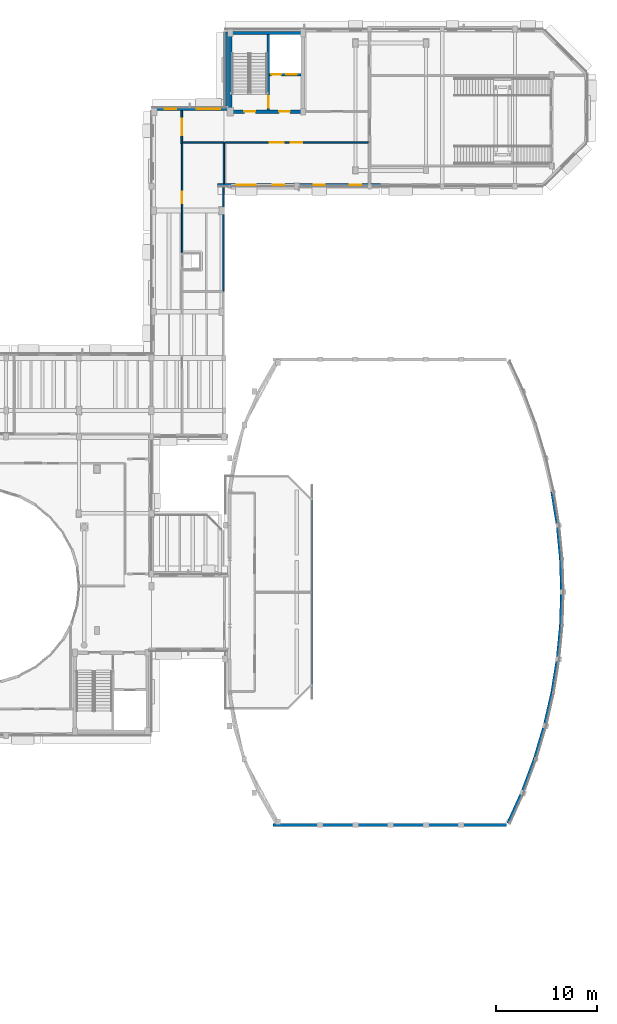
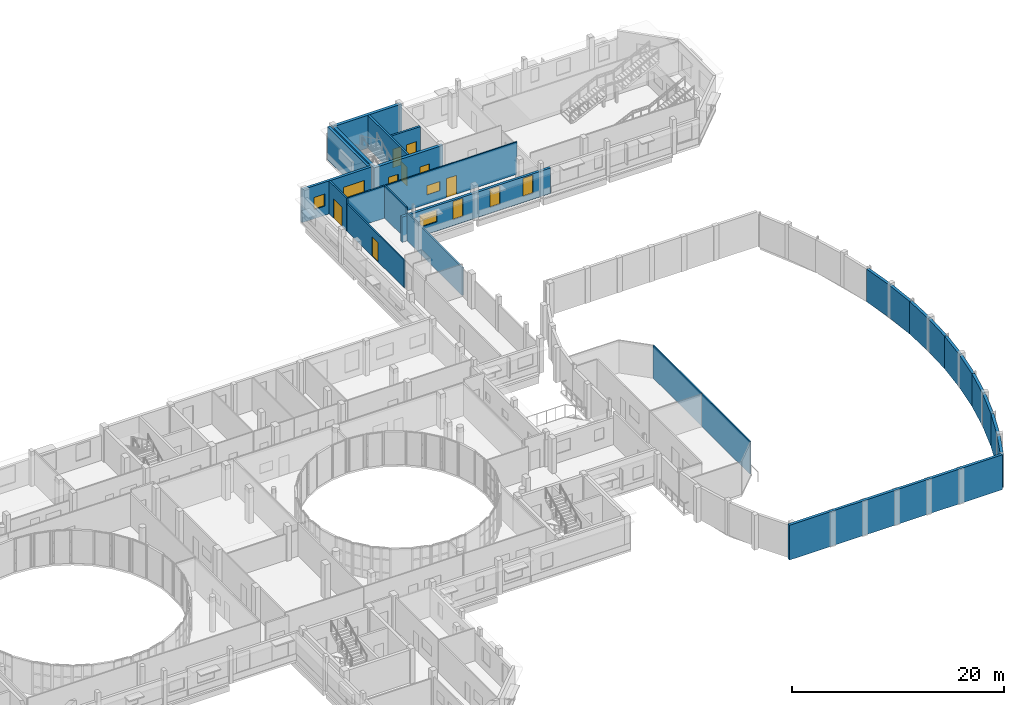
# One storey, part 74 of 92: 27 walls, 8 doors, 7 windows, 15 openings.
"""IFC4 building model written with IfcOpenShell, lengths in metres."""

import ifcopenshell
import ifcopenshell.guid

model = None  # the IFC model being written
_history = None  # IfcOwnerHistory: only IFC2X3 demands one
_inside = {}  # id of a spatial element -> (the spatial element, [elements in it])
_under = {}  # id of a project, library or spatial element -> (it, [spatial elements below it])
_declared = {}  # id of a project -> (the project, [libraries it declares])
_typed = {}  # id of a type object -> (the type object, [elements of that type])
_made_of = {}  # id of a material, layer set ... -> (it, [elements and type objects made of it])


def new_model(schema):
    """Start an empty IFC model of exactly this schema.

    Asked for "IFC4X3", IfcOpenShell would pick the latest addendum, in which some entities
    have other attributes; the version numbers below select the first issue.
    IFC2X3 requires an IfcOwnerHistory on every rooted entity: one is made here for all.
    """
    global model, _history
    if schema == "IFC4X3":
        model = ifcopenshell.file(schema_version=(4, 3, 0, 0))
    else:
        model = ifcopenshell.file(schema=schema)
    _inside.clear()
    _under.clear()
    _declared.clear()
    _typed.clear()
    _made_of.clear()
    _history = None
    if model.schema == "IFC2X3":
        org = make("IfcOrganization", Name="unknown")
        user = make(
            "IfcPersonAndOrganization",
            ThePerson=make("IfcPerson", FamilyName="unknown"),
            TheOrganization=org,
        )
        app = make(
            "IfcApplication",
            ApplicationDeveloper=org,
            Version="unknown",
            ApplicationFullName="unknown",
            ApplicationIdentifier="unknown",
        )
        _history = make(
            "IfcOwnerHistory",
            OwningUser=user,
            OwningApplication=app,
            ChangeAction="ADDED",
            CreationDate=0,
        )
    return model


def make(cls, **values):
    """One entity of the class cls with the attributes given. An attribute that is None is left unset."""
    return model.create_entity(
        cls, **{name: value for name, value in values.items() if value is not None}
    )


def rooted(cls, **values):
    """An entity with a GlobalId (a new one), such as an element, a storey or a relation."""
    return make(cls, GlobalId=ifcopenshell.guid.new(), OwnerHistory=_history, **values)


def si_unit(unit_type, name, prefix=None):
    """IfcSIUnit, for example si_unit("LENGTHUNIT", "METRE", prefix="MILLI")."""
    return make("IfcSIUnit", UnitType=unit_type, Prefix=prefix, Name=name)


def assignment(units):
    """IfcUnitAssignment: the units of a project."""
    return None if units is None else make("IfcUnitAssignment", Units=units)


def point(xyz):
    """IfcCartesianPoint."""
    return None if xyz is None else make("IfcCartesianPoint", Coordinates=xyz)


def direction(xyz):
    """IfcDirection."""
    return None if xyz is None else make("IfcDirection", DirectionRatios=xyz)


def frame(location, z_axis=None, x_axis=None):
    """IfcAxis2Placement3D, a coordinate frame: its origin and axes. An axis left out is left unset."""
    return make(
        "IfcAxis2Placement3D",
        Location=point(location),
        Axis=direction(z_axis),
        RefDirection=direction(x_axis),
    )


def frame_2d(location, x_axis=None):
    """IfcAxis2Placement2D, a coordinate frame in the plane: its origin and x axis."""
    return make(
        "IfcAxis2Placement2D", Location=point(location), RefDirection=direction(x_axis)
    )


def origin():
    """The frame at (0, 0, 0) with its axes left unset."""
    return frame((0.0, 0.0, 0.0))


def place(relative_to, where):
    """IfcLocalPlacement: puts the frame where relative to a parent placement (None: the world)."""
    return make(
        "IfcLocalPlacement", PlacementRelTo=relative_to, RelativePlacement=where
    )


def context(
    kind, dimensions, precision=None, world=None, true_north=None, identifier=None
):
    """IfcGeometricRepresentationContext, for example the 3D "Model" context."""
    return make(
        "IfcGeometricRepresentationContext",
        ContextIdentifier=identifier,
        ContextType=kind,
        CoordinateSpaceDimension=dimensions,
        Precision=precision,
        WorldCoordinateSystem=world,
        TrueNorth=true_north,
    )


def subcontext(parent, identifier, kind, view, scale=None):
    """IfcGeometricRepresentationSubContext, for example "Body" below "Model"."""
    return make(
        "IfcGeometricRepresentationSubContext",
        ContextIdentifier=identifier,
        ContextType=kind,
        ParentContext=parent,
        TargetScale=scale,
        TargetView=view,
    )


def project(units=None, contexts=None):
    """IfcProject with its units and contexts."""
    return rooted(
        "IfcProject",
        Name="project",
        RepresentationContexts=contexts,
        UnitsInContext=assignment(units),
    )


def spatial(cls, under=None, at=None, **own):
    """A site, building, storey or space (cls), placed at a placement, below another one or the project."""
    s = rooted(cls, ObjectPlacement=at, **own)
    if under is not None:
        _under.setdefault(under.id(), (under, []))[1].append(s)
    return s


def profile(cls, at=None, kind="AREA", **sizes):
    """A parametric profile (cls). Its sizes go by their IFC names, for example OverallWidth=200.0."""
    return make(cls, ProfileType=kind, Position=at, **sizes)


def rectangle(**sizes):
    """IfcRectangleProfileDef."""
    return profile("IfcRectangleProfileDef", **sizes)


def extrude(swept, where, along, depth):
    """IfcExtrudedAreaSolid: the profile swept, set in the frame where, extruded along a direction by depth."""
    return make(
        "IfcExtrudedAreaSolid",
        SweptArea=swept,
        Position=where,
        ExtrudedDirection=direction(along),
        Depth=depth,
    )


def shape(context_of_items, identifier, shape_type, items):
    """IfcShapeRepresentation: the items that make up one representation, for example the "Body"."""
    return make(
        "IfcShapeRepresentation",
        ContextOfItems=context_of_items,
        RepresentationIdentifier=identifier,
        RepresentationType=shape_type,
        Items=items,
    )


def material(Name=None, Category=None):
    """IfcMaterial."""
    return make("IfcMaterial", Name=Name, Category=Category)


def layer(
    of_material, thickness, ventilated=None, Name=None, Category=None, Priority=None
):
    """IfcMaterialLayer: one layer of a wall or slab, of a material (None: an air gap)."""
    return make(
        "IfcMaterialLayer",
        Material=of_material,
        LayerThickness=thickness,
        IsVentilated=ventilated,
        Name=Name,
        Category=Category,
        Priority=Priority,
    )


def layer_set(layers, Name=None):
    """IfcMaterialLayerSet."""
    return make("IfcMaterialLayerSet", MaterialLayers=layers, LayerSetName=Name)


def made_of(thing, what):
    """Note that an element or type object is made of a material, layer set ...; save() writes the relation."""
    if what is not None:
        _made_of.setdefault(what.id(), (what, []))[1].append(thing)
    return thing


def type_object(cls, material=None, **own):
    """A type object (cls), such as IfcWallType, which elements share."""
    return made_of(rooted(cls, **own), material)


def element(
    cls,
    number,
    at=None,
    inside=None,
    cuts=None,
    type_object=None,
    material=None,
    context=None,
    identifier="Body",
    shape_type=None,
    held_by="IfcProductDefinitionShape",
    body=None,
    shapes=None,
    **own,
):
    """One element of the class cls, such as IfcWall. Its Tag is "e" and its number.

    at: its placement. inside: the storey or other place that contains it. cuts: it is an
    opening in that element (IfcRelVoidsElement). A single representation is given by context,
    identifier, shape_type and body (its items); several are given by shapes. held_by: the class
    of the entity that holds the representations. save() writes the other relations.
    """
    e = rooted(cls, Tag="e%d" % number, ObjectPlacement=at, **own)
    if body is not None:
        shapes = [shape(context, identifier, shape_type, body)]
    if shapes is not None:
        e.Representation = make(held_by, Representations=shapes)
    if inside is not None:
        _inside.setdefault(inside.id(), (inside, []))[1].append(e)
    if cuts is not None:
        rooted(
            "IfcRelVoidsElement", RelatingBuildingElement=cuts, RelatedOpeningElement=e
        )
    if type_object is not None:
        _typed.setdefault(type_object.id(), (type_object, []))[1].append(e)
    return made_of(e, material)


def fill(opening, filler):
    """IfcRelFillsElement: the door or window that sits in an opening."""
    return rooted(
        "IfcRelFillsElement",
        RelatingOpeningElement=opening,
        RelatedBuildingElement=filler,
    )


def aggregate(whole, parts):
    """IfcRelAggregates: a whole, such as a stair, and the parts it consists of."""
    return rooted("IfcRelAggregates", RelatingObject=whole, RelatedObjects=parts)


def save(model, path):
    """Write the relations noted so far, then the file.

    IfcRelAggregates (storeys below a building ...), IfcRelContainedInSpatialStructure (elements
    in a storey), IfcRelDefinesByType, IfcRelAssociatesMaterial and IfcRelDeclares: one each for
    every whole, place, type object, material and project.
    """
    for whole, parts in _under.values():
        aggregate(whole, parts)
    for where, things in _inside.values():
        rooted(
            "IfcRelContainedInSpatialStructure",
            RelatedElements=things,
            RelatingStructure=where,
        )
    for kind, things in _typed.values():
        rooted("IfcRelDefinesByType", RelatedObjects=things, RelatingType=kind)
    for what, things in _made_of.values():
        rooted("IfcRelAssociatesMaterial", RelatedObjects=things, RelatingMaterial=what)
    for by, libraries in _declared.values():
        rooted("IfcRelDeclares", RelatingContext=by, RelatedDefinitions=libraries)
    model.write(path)


model = new_model("IFC4")

# Units and contexts
model_context = context("Model", 3, precision=1e-05, world=origin(), true_north=direction((0.0, 1.0)))
body_context = subcontext(model_context, "Body", "Model", "MODEL_VIEW")
ifc_project = project(units=[si_unit("LENGTHUNIT", "METRE"), si_unit("AREAUNIT", "SQUARE_METRE"), si_unit("VOLUMEUNIT", "CUBIC_METRE"), si_unit("PLANEANGLEUNIT", "RADIAN"), si_unit("MASSUNIT", "GRAM", prefix="KILO")], contexts=[model_context])

# Site, building, storey
site_placement = place(None, origin())
site = spatial("IfcSite", under=ifc_project, at=site_placement, CompositionType="ELEMENT")
building_placement = place(site_placement, origin())
building = spatial("IfcBuilding", under=site, at=building_placement, Name="Kelanivale Promenade Academy", CompositionType="ELEMENT")
storey_placement = place(building_placement, frame((0.0, 0.0, 8.199951171875)))
storey = spatial("IfcBuildingStorey", under=building, at=storey_placement, Name="L02", CompositionType="ELEMENT", Elevation=8.199951171875)

# Wall, openings, doors
ifc_material_1 = material(Name="Concrete C40/50", Category="concrete")
ifc_layer_1 = layer(ifc_material_1, 0.330078125)
ifc_layer_set_1 = layer_set([ifc_layer_1], Name="Concrete C40/50")
wall_type_1 = type_object("IfcWallType", Name="CW-S1 Wall 330mm", PredefinedType="SHEAR", material=ifc_layer_set_1)
wall_1_placement = place(storey_placement, frame((123.235107421875, 103.800048828125, 0.0), z_axis=(0.0, 0.0, 1.0), x_axis=(1.0, 0.0, 0.0)))
wall_1 = element("IfcWall", 1, at=wall_1_placement, inside=storey, type_object=wall_type_1, Name="CORE-5 RC shear wall S L02", PredefinedType="SHEAR", context=body_context, shape_type="SweptSolid", body=[
    extrude(rectangle(XDim=7.52978515625, YDim=0.330078125, at=frame_2d((3.764892578125, 0.0))), origin(), (0.0, 0.0, 1.0), 3.780029296875),
])
opening_1_placement = place(wall_1_placement, frame((5.014892578125, 0.0, 0.0)))
opening_1 = element("IfcOpeningElement", 2, at=opening_1_placement, cuts=wall_1, Name="Opening FD-CORE-5-LB-L02", PredefinedType="OPENING", context=body_context, shape_type="SweptSolid", body=[
    extrude(rectangle(XDim=1.050048828125, YDim=2.14990234375, at=frame_2d((0.52490234375, 1.074951171875))), frame((0.0, 0.175048828125, 0.0), z_axis=(0.0, -1.0, 0.0), x_axis=(1.0, 0.0, 0.0)), (0.0, 0.0, 1.0), 0.35009765625),
])
opening_2_placement = place(wall_1_placement, frame((1.56494140625, 0.0, 0.0)))
opening_2 = element("IfcOpeningElement", 3, at=opening_2_placement, cuts=wall_1, Name="Opening FD-CORE-5-ST-L02", PredefinedType="OPENING", context=body_context, shape_type="SweptSolid", body=[
    extrude(rectangle(XDim=1.10009765625, YDim=2.14990234375, at=frame_2d((0.550048828125, 1.074951171875))), frame((0.0, 0.175048828125, 0.0), z_axis=(0.0, -1.0, 0.0), x_axis=(1.0, 0.0, 0.0)), (0.0, 0.0, 1.0), 0.35009765625),
])
ifc_material_2 = material(Name="Fire-rated steel-core teak veneer", Category="steel")
door_type_1 = type_object("IfcDoorType", Name="DT-F01 Door 1100x2150", OperationType="NOTDEFINED", PredefinedType="DOOR", material=ifc_material_2)
door_1_placement = place(opening_2_placement, frame((1.10009765625, 0.0, 0.0), z_axis=(0.0, 0.0, 1.0), x_axis=(-1.0, 0.0, 0.0)))
door_1 = element("IfcDoor", 4, at=door_1_placement, inside=storey, type_object=door_type_1, Name="CORE-5 protected stair fire door L02", OperationType="SINGLE_SWING_RIGHT", OverallHeight=2.14990234375, OverallWidth=1.10009765625, PredefinedType="DOOR", context=body_context, shape_type="SweptSolid", body=[
    extrude(rectangle(XDim=1.10009765625, YDim=2.14990234375, at=frame_2d((0.550048828125, 1.074951171875))), frame((0.0, 0.02490234375, 0.0), z_axis=(0.0, -1.0, 0.0), x_axis=(1.0, 0.0, 0.0)), (0.0, 0.0, 1.0), 0.050048828125),
])
fill(opening_2, door_1)
door_type_2 = type_object("IfcDoorType", Name="DT-F03 Door 1050x2150", OperationType="NOTDEFINED", PredefinedType="DOOR", material=ifc_material_2)
door_2_placement = place(opening_1_placement, origin())
door_2 = element("IfcDoor", 5, at=door_2_placement, inside=storey, type_object=door_type_2, Name="CORE-5 corridor-to-lobby fire door L02", OperationType="SINGLE_SWING_LEFT", OverallHeight=2.14990234375, OverallWidth=1.050048828125, PredefinedType="DOOR", context=body_context, shape_type="SweptSolid", body=[
    extrude(rectangle(XDim=1.050048828125, YDim=2.14990234375, at=frame_2d((0.52490234375, 1.074951171875))), frame((0.0, 0.02490234375, 0.0), z_axis=(0.0, -1.0, 0.0), x_axis=(1.0, 0.0, 0.0)), (0.0, 0.0, 1.0), 0.050048828125),
])
fill(opening_1, door_2)

# Walls
wall_2_placement = place(storey_placement, frame((123.235107421875, 111.60009765625, 0.0), z_axis=(0.0, 0.0, 1.0), x_axis=(1.0, 0.0, 0.0)))
element("IfcWall", 6, at=wall_2_placement, inside=storey, type_object=wall_type_1, Name="CORE-5 RC shear wall N L02", PredefinedType="SHEAR", context=body_context, shape_type="SweptSolid", body=[
    extrude(rectangle(XDim=7.52978515625, YDim=0.330078125, at=frame_2d((3.764892578125, 0.0))), origin(), (0.0, 0.0, 1.0), 3.780029296875),
])
wall_3_placement = place(storey_placement, frame((123.39990234375, 103.965087890625, 0.0), z_axis=(0.0, 0.0, 1.0), x_axis=(0.0, 1.0, 0.0)))
element("IfcWall", 7, at=wall_3_placement, inside=storey, type_object=wall_type_1, Name="CORE-5 RC shear wall W L02", PredefinedType="SHEAR", context=body_context, shape_type="SweptSolid", body=[
    extrude(rectangle(XDim=7.469970703125, YDim=0.330078125, at=frame_2d((3.73486328125, 0.0))), origin(), (0.0, 0.0, 1.0), 3.780029296875),
])

# Wall, openings, doors
ifc_layer_2 = layer(ifc_material_1, 0.22509765625)
ifc_layer_set_2 = layer_set([ifc_layer_2], Name="Concrete C40/50")
wall_type_2 = type_object("IfcWallType", Name="CW-S2 Wall 225mm", PredefinedType="SHEAR", material=ifc_layer_set_2)
wall_4_placement = place(storey_placement, frame((127.284912109375, 107.469970703125, 0.0), z_axis=(0.0, 0.0, 1.0), x_axis=(1.0, 0.0, 0.0)))
wall_4 = element("IfcWall", 8, at=wall_4_placement, inside=storey, type_object=wall_type_2, Name="CORE-5 lift shaft front RC wall L02", PredefinedType="SHEAR", context=body_context, shape_type="SweptSolid", body=[
    extrude(rectangle(XDim=3.150146484375, YDim=0.22509765625, at=frame_2d((1.5751953125, 0.0))), origin(), (0.0, 0.0, 1.0), 3.780029296875),
])
opening_3_placement = place(wall_4_placement, frame((0.199951171875, 0.0, 0.0)))
opening_3 = element("IfcOpeningElement", 9, at=opening_3_placement, cuts=wall_4, Name="Opening LD-LF-FF4-L02", PredefinedType="OPENING", context=body_context, shape_type="SweptSolid", body=[
    extrude(rectangle(XDim=0.949951171875, YDim=2.14990234375, at=frame_2d((0.47509765625, 1.074951171875))), frame((0.0, 0.12255859375, 0.0), z_axis=(0.0, -1.0, 0.0), x_axis=(1.0, 0.0, 0.0)), (0.0, 0.0, 1.0), 0.2451171875),
])
opening_4_placement = place(wall_4_placement, frame((1.64990234375, 0.0, 0.0)))
opening_4 = element("IfcOpeningElement", 10, at=opening_4_placement, cuts=wall_4, Name="Opening LD-LF-P3-L02", PredefinedType="OPENING", context=body_context, shape_type="SweptSolid", body=[
    extrude(rectangle(XDim=1.050048828125, YDim=2.199951171875, at=frame_2d((0.52490234375, 1.10009765625))), frame((0.0, 0.12255859375, 0.0), z_axis=(0.0, -1.0, 0.0), x_axis=(1.0, 0.0, 0.0)), (0.0, 0.0, 1.0), 0.2451171875),
])
door_type_3 = type_object("IfcDoorType", Name="LD-FF1 Door 950x2150", OperationType="NOTDEFINED", PredefinedType="DOOR", material=ifc_material_2)
door_3_placement = place(opening_3_placement, origin())
door_3 = element("IfcDoor", 11, at=door_3_placement, inside=storey, type_object=door_type_3, Name="Firefighting lift landing door LD-LF-FF4-L02", OperationType="SLIDING_TO_LEFT", OverallHeight=2.14990234375, OverallWidth=0.949951171875, PredefinedType="DOOR", context=body_context, shape_type="SweptSolid", body=[
    extrude(rectangle(XDim=0.949951171875, YDim=2.14990234375, at=frame_2d((0.47509765625, 1.074951171875))), frame((0.0, 0.02490234375, 0.0), z_axis=(0.0, -1.0, 0.0), x_axis=(1.0, 0.0, 0.0)), (0.0, 0.0, 1.0), 0.050048828125),
])
fill(opening_3, door_3)
door_type_4 = type_object("IfcDoorType", Name="LD-PL1 Door 1050x2200", OperationType="NOTDEFINED", PredefinedType="DOOR", material=ifc_material_2)
door_4_placement = place(opening_4_placement, origin())
door_4 = element("IfcDoor", 12, at=door_4_placement, inside=storey, type_object=door_type_4, Name="Passenger lift landing door LD-LF-P3-L02", OperationType="SLIDING_TO_RIGHT", OverallHeight=2.199951171875, OverallWidth=1.050048828125, PredefinedType="DOOR", context=body_context, shape_type="SweptSolid", body=[
    extrude(rectangle(XDim=1.050048828125, YDim=2.199951171875, at=frame_2d((0.52490234375, 1.10009765625))), frame((0.0, 0.02490234375, 0.0), z_axis=(0.0, -1.0, 0.0), x_axis=(1.0, 0.0, 0.0)), (0.0, 0.0, 1.0), 0.050048828125),
])
fill(opening_4, door_4)

# Wall, opening, door
ifc_layer_3 = layer(ifc_material_1, 0.219970703125)
ifc_layer_set_3 = layer_set([ifc_layer_3], Name="Concrete C40/50")
wall_type_3 = type_object("IfcWallType", Name="CW-S3 Wall 220mm", PredefinedType="SHEAR", material=ifc_layer_set_3)
wall_5_placement = place(storey_placement, frame((127.175048828125, 103.965087890625, 0.0), z_axis=(0.0, 0.0, 1.0), x_axis=(0.0, 1.0, 0.0)))
wall_5 = element("IfcWall", 13, at=wall_5_placement, inside=storey, type_object=wall_type_3, Name="CORE-5 stair-lobby dividing RC wall L02", PredefinedType="SHEAR", context=body_context, shape_type="SweptSolid", body=[
    extrude(rectangle(XDim=7.469970703125, YDim=0.219970703125, at=frame_2d((3.73486328125, 0.0))), origin(), (0.0, 0.0, 1.0), 3.780029296875),
])
opening_5_placement = place(wall_5_placement, frame((0.25, 0.0, 0.0)))
opening_5 = element("IfcOpeningElement", 14, at=opening_5_placement, cuts=wall_5, Name="Opening FD-CORE-5-SL-L02", PredefinedType="OPENING", context=body_context, shape_type="SweptSolid", body=[
    extrude(rectangle(XDim=1.10009765625, YDim=2.14990234375, at=frame_2d((0.550048828125, 1.074951171875))), frame((0.0, 0.1201171875, 0.0), z_axis=(0.0, -1.0, 0.0), x_axis=(1.0, 0.0, 0.0)), (0.0, 0.0, 1.0), 0.239990234375),
])
door_5_placement = place(opening_5_placement, origin())
door_5 = element("IfcDoor", 15, at=door_5_placement, inside=storey, type_object=door_type_1, Name="CORE-5 lobby-to-stair fire door L02", OperationType="SINGLE_SWING_RIGHT", OverallHeight=2.14990234375, OverallWidth=1.10009765625, PredefinedType="DOOR", context=body_context, shape_type="SweptSolid", body=[
    extrude(rectangle(XDim=1.10009765625, YDim=2.14990234375, at=frame_2d((0.550048828125, 1.074951171875))), frame((0.0, 0.02490234375, 0.0), z_axis=(0.0, -1.0, 0.0), x_axis=(1.0, 0.0, 0.0)), (0.0, 0.0, 1.0), 0.050048828125),
])
fill(opening_5, door_5)

# Walls
ifc_material_3 = material(Name="Insulated terracotta-clad masonry wall 300 mm", Category="masonry")
ifc_layer_4 = layer(ifc_material_3, 0.300048828125)
ifc_layer_set_4 = layer_set([ifc_layer_4], Name="Insulated terracotta-clad masonry wall 300 mm")
wall_type_4 = type_object("IfcWallType", Name="EW-01 Wall 300mm", PredefinedType="SOLIDWALL", material=ifc_layer_set_4)
wall_6_placement = place(storey_placement, frame((150.928955078125, 33.30908203125, 0.0), z_axis=(0.0, 0.0, 1.0), x_axis=(0.414382257429, 0.910102930842, 0.0)))
element("IfcWall", 16, at=wall_6_placement, inside=storey, type_object=wall_type_4, Name="Assembly Hall Arc Pavilion curved terracotta wall L02", PredefinedType="SOLIDWALL", context=body_context, shape_type="SweptSolid", body=[
    extrude(rectangle(XDim=3.3017578125, YDim=0.300048828125, at=frame_2d((1.65087890625, 0.0))), origin(), (0.0, 0.0, 1.0), 3.7451171875),
])
wall_7_placement = place(storey_placement, frame((152.297119140625, 36.31396484375, 0.0), z_axis=(0.0, 0.0, 1.0), x_axis=(0.350836219137, 0.936436835746, 0.0)))
element("IfcWall", 17, at=wall_7_placement, inside=storey, type_object=wall_type_4, Name="Assembly Hall Arc Pavilion curved terracotta wall L02", PredefinedType="SOLIDWALL", context=body_context, shape_type="SweptSolid", body=[
    extrude(rectangle(XDim=3.5400390625, YDim=0.300048828125, at=frame_2d((1.77001953125, 0.0))), origin(), (0.0, 0.0, 1.0), 3.7451171875),
])
wall_8_placement = place(storey_placement, frame((153.5390625, 39.62890625, 0.0), z_axis=(0.0, 0.0, 1.0), x_axis=(0.286991798892, 0.957933039084, 0.0)))
element("IfcWall", 18, at=wall_8_placement, inside=storey, type_object=wall_type_4, Name="Assembly Hall Arc Pavilion curved terracotta wall L02", PredefinedType="SOLIDWALL", context=body_context, shape_type="SweptSolid", body=[
    extrude(rectangle(XDim=3.459716796875, YDim=0.300048828125, at=frame_2d((1.72998046875, 0.0))), origin(), (0.0, 0.0, 1.0), 3.7451171875),
])
wall_9_placement = place(storey_placement, frame((154.531982421875, 42.943115234375, 0.0), z_axis=(0.0, 0.0, 1.0), x_axis=(0.223259599234, 0.974759022195, 0.0)))
element("IfcWall", 19, at=wall_9_placement, inside=storey, type_object=wall_type_4, Name="Assembly Hall Arc Pavilion curved terracotta wall L02", PredefinedType="SOLIDWALL", context=body_context, shape_type="SweptSolid", body=[
    extrude(rectangle(XDim=3.399658203125, YDim=0.300048828125, at=frame_2d((1.69970703125, 0.0))), origin(), (0.0, 0.0, 1.0), 3.7451171875),
])
wall_10_placement = place(storey_placement, frame((155.291015625, 46.257080078125, 0.0), z_axis=(0.0, 0.0, 1.0), x_axis=(0.159349054769, 0.987222304623, 0.0)))
element("IfcWall", 20, at=wall_10_placement, inside=storey, type_object=wall_type_4, Name="Assembly Hall Arc Pavilion curved terracotta wall L02", PredefinedType="SOLIDWALL", context=body_context, shape_type="SweptSolid", body=[
    extrude(rectangle(XDim=3.35693359375, YDim=0.300048828125, at=frame_2d((1.678466796875, 0.0))), origin(), (0.0, 0.0, 1.0), 3.7451171875),
])
wall_11_placement = place(storey_placement, frame((155.825927734375, 49.571044921875, 0.0), z_axis=(0.0, 0.0, 1.0), x_axis=(0.095525216858, 0.995427010355, 0.0)))
element("IfcWall", 21, at=wall_11_placement, inside=storey, type_object=wall_type_4, Name="Assembly Hall Arc Pavilion curved terracotta wall L02", PredefinedType="SOLIDWALL", context=body_context, shape_type="SweptSolid", body=[
    extrude(rectangle(XDim=3.330078125, YDim=0.300048828125, at=frame_2d((1.6650390625, 0.0))), origin(), (0.0, 0.0, 1.0), 3.7451171875),
])
for number, where, z_axis, x_axis, name in (
    (22, (156.14404296875, 52.885986328125, 0.0), (0.0, 0.0, 1.0), (0.031956559473, 0.999489258725, 0.0), "Assembly Hall Arc Pavilion curved terracotta wall L02"),
    (23, (156.25, 56.199951171875, 0.0), (0.0, 0.0, 1.0), (-0.031956559473, 0.999489258725, 0.0), "Assembly Hall Arc Pavilion curved terracotta wall L02"),
):
    element("IfcWall", number, at=place(storey_placement, frame(where, z_axis=z_axis, x_axis=x_axis)), inside=storey, type_object=wall_type_4, Name=name, PredefinedType="SOLIDWALL", context=body_context, shape_type="SweptSolid", body=[
        extrude(rectangle(XDim=3.315673828125, YDim=0.300048828125, at=frame_2d((1.65771484375, 0.0))), origin(), (0.0, 0.0, 1.0), 3.7451171875),
    ])
wall_12_placement = place(storey_placement, frame((156.14404296875, 59.513916015625, 0.0), z_axis=(0.0, 0.0, 1.0), x_axis=(-0.095518246268, 0.995427679256, 0.0)))
element("IfcWall", 24, at=wall_12_placement, inside=storey, type_object=wall_type_4, Name="Assembly Hall Arc Pavilion curved terracotta wall L02", PredefinedType="SOLIDWALL", context=body_context, shape_type="SweptSolid", body=[
    extrude(rectangle(XDim=3.330322265625, YDim=0.300048828125, at=frame_2d((1.6650390625, 0.0))), origin(), (0.0, 0.0, 1.0), 3.7451171875),
])
wall_13_placement = place(storey_placement, frame((155.825927734375, 62.8291015625, 0.0), z_axis=(0.0, 0.0, 1.0), x_axis=(-0.159349054769, 0.987222304623, 0.0)))
element("IfcWall", 25, at=wall_13_placement, inside=storey, type_object=wall_type_4, Name="Assembly Hall Arc Pavilion curved terracotta wall L02", PredefinedType="SOLIDWALL", context=body_context, shape_type="SweptSolid", body=[
    extrude(rectangle(XDim=3.35693359375, YDim=0.300048828125, at=frame_2d((1.678466796875, 0.0))), origin(), (0.0, 0.0, 1.0), 3.7451171875),
])
wall_14_placement = place(storey_placement, frame((127.64990234375, 33.14990234375, 0.0), z_axis=(0.0, 0.0, 1.0), x_axis=(1.0, 0.0, 0.0)))
element("IfcWall", 26, at=wall_14_placement, inside=storey, type_object=wall_type_4, Name="Assembly Hall Arc Pavilion gable wall L02", PredefinedType="SOLIDWALL", context=body_context, shape_type="SweptSolid", body=[
    extrude(rectangle(XDim=23.13818359375, YDim=0.300048828125, at=frame_2d((11.569091796875, 0.0))), origin(), (0.0, 0.0, 1.0), 4.0),
])

# Wall, openings, windows
ifc_material_4 = material(Name="Insulated ivory stucco masonry wall 280 mm", Category="masonry")
ifc_layer_5 = layer(ifc_material_4, 0.280029296875)
ifc_layer_set_5 = layer_set([ifc_layer_5], Name="Insulated ivory stucco masonry wall 280 mm")
wall_type_5 = type_object("IfcWallType", Name="EW-02 Wall 280mm", PredefinedType="SOLIDWALL", material=ifc_layer_set_5)
wall_15_placement = place(storey_placement, frame((122.1201171875, 96.5400390625, 0.0), z_axis=(0.0, 0.0, 1.0), x_axis=(1.0, 0.0, 0.0)))
wall_15 = element("IfcWall", 27, at=wall_15_placement, inside=storey, type_object=wall_type_5, Name="L02 exterior facade wall EW-L02-ORT-0422", PredefinedType="SOLIDWALL", context=body_context, shape_type="SweptSolid", body=[
    extrude(rectangle(XDim=16.15576171875, YDim=0.280029296875, at=frame_2d((8.077880859375, 0.0))), origin(), (0.0, 0.0, 1.0), 2.9150390625),
])
opening_6_placement = place(wall_15_placement, frame((1.945068359375, 0.0, 1.050048828125)))
opening_6 = element("IfcOpeningElement", 28, at=opening_6_placement, cuts=wall_15, Name="Opening WT-36", PredefinedType="OPENING", context=body_context, shape_type="SweptSolid", body=[
    extrude(rectangle(XDim=1.85009765625, YDim=1.39990234375, at=frame_2d((0.925048828125, 0.699951171875))), frame((0.0, 0.14990234375, 0.0), z_axis=(0.0, -1.0, 0.0), x_axis=(1.0, 0.0, 0.0)), (0.0, 0.0, 1.0), 0.300048828125),
])
opening_7_placement = place(wall_15_placement, frame((5.509033203125, 0.0, 0.675048828125)))
opening_7 = element("IfcOpeningElement", 29, at=opening_7_placement, cuts=wall_15, Name="Opening WT-17", PredefinedType="OPENING", context=body_context, shape_type="SweptSolid", body=[
    extrude(rectangle(XDim=1.10009765625, YDim=2.10009765625, at=frame_2d((0.550048828125, 1.050048828125))), frame((0.0, 0.14990234375, 0.0), z_axis=(0.0, -1.0, 0.0), x_axis=(1.0, 0.0, 0.0)), (0.0, 0.0, 1.0), 0.300048828125),
])
opening_8_placement = place(wall_15_placement, frame((9.548095703125, 0.0, 0.675048828125)))
opening_8 = element("IfcOpeningElement", 30, at=opening_8_placement, cuts=wall_15, Name="Opening WT-17", PredefinedType="OPENING", context=body_context, shape_type="SweptSolid", body=[
    extrude(rectangle(XDim=1.10009765625, YDim=2.10009765625, at=frame_2d((0.550048828125, 1.050048828125))), frame((0.0, 0.14990234375, 0.0), z_axis=(0.0, -1.0, 0.0), x_axis=(1.0, 0.0, 0.0)), (0.0, 0.0, 1.0), 0.300048828125),
])
opening_9_placement = place(wall_15_placement, frame((13.136962890625, 0.0, 0.675048828125)))
opening_9 = element("IfcOpeningElement", 31, at=opening_9_placement, cuts=wall_15, Name="Opening WT-17", PredefinedType="OPENING", context=body_context, shape_type="SweptSolid", body=[
    extrude(rectangle(XDim=1.10009765625, YDim=2.10009765625, at=frame_2d((0.550048828125, 1.050048828125))), frame((0.0, 0.14990234375, 0.0), z_axis=(0.0, -1.0, 0.0), x_axis=(1.0, 0.0, 0.0)), (0.0, 0.0, 1.0), 0.300048828125),
])
ifc_material_5 = material(Name="Bronze anodised aluminium frame with low-E laminated glass", Category="aluminium")
window_type_1 = type_object("IfcWindowType", Name="WT-17 Window 1100x2100", PartitioningType="SINGLE_PANEL", PredefinedType="WINDOW", material=ifc_material_5)
window_1_placement = place(opening_7_placement, origin())
window_1 = element("IfcWindow", 32, at=window_1_placement, inside=storey, type_object=window_type_1, Name="Window WT-17", OverallHeight=2.10009765625, OverallWidth=1.10009765625, PartitioningType="SINGLE_PANEL", PredefinedType="WINDOW", context=body_context, shape_type="SweptSolid", body=[
    extrude(rectangle(XDim=1.10009765625, YDim=2.10009765625, at=frame_2d((0.550048828125, 1.050048828125))), frame((0.0, 0.030029296875, 0.0), z_axis=(0.0, -1.0, 0.0), x_axis=(1.0, 0.0, 0.0)), (0.0, 0.0, 1.0), 0.06005859375),
])
fill(opening_7, window_1)
window_2_placement = place(opening_8_placement, origin())
window_2 = element("IfcWindow", 33, at=window_2_placement, inside=storey, type_object=window_type_1, Name="Window WT-17", OverallHeight=2.10009765625, OverallWidth=1.10009765625, PartitioningType="SINGLE_PANEL", PredefinedType="WINDOW", context=body_context, shape_type="SweptSolid", body=[
    extrude(rectangle(XDim=1.10009765625, YDim=2.10009765625, at=frame_2d((0.550048828125, 1.050048828125))), frame((0.0, 0.030029296875, 0.0), z_axis=(0.0, -1.0, 0.0), x_axis=(1.0, 0.0, 0.0)), (0.0, 0.0, 1.0), 0.06005859375),
])
fill(opening_8, window_2)
window_3_placement = place(opening_9_placement, origin())
window_3 = element("IfcWindow", 34, at=window_3_placement, inside=storey, type_object=window_type_1, Name="Window WT-17", OverallHeight=2.10009765625, OverallWidth=1.10009765625, PartitioningType="SINGLE_PANEL", PredefinedType="WINDOW", context=body_context, shape_type="SweptSolid", body=[
    extrude(rectangle(XDim=1.10009765625, YDim=2.10009765625, at=frame_2d((0.550048828125, 1.050048828125))), frame((0.0, 0.030029296875, 0.0), z_axis=(0.0, -1.0, 0.0), x_axis=(1.0, 0.0, 0.0)), (0.0, 0.0, 1.0), 0.06005859375),
])
fill(opening_9, window_3)
window_type_2 = type_object("IfcWindowType", Name="WT-36 Window 1850x1400", PartitioningType="SINGLE_PANEL", PredefinedType="WINDOW", material=ifc_material_5)
window_4_placement = place(opening_6_placement, origin())
window_4 = element("IfcWindow", 35, at=window_4_placement, inside=storey, type_object=window_type_2, Name="Window WT-36", OverallHeight=1.39990234375, OverallWidth=1.85009765625, PartitioningType="SINGLE_PANEL", PredefinedType="WINDOW", context=body_context, shape_type="SweptSolid", body=[
    extrude(rectangle(XDim=1.85009765625, YDim=1.39990234375, at=frame_2d((0.925048828125, 0.699951171875))), frame((0.0, 0.030029296875, 0.0), z_axis=(0.0, -1.0, 0.0), x_axis=(1.0, 0.0, 0.0)), (0.0, 0.0, 1.0), 0.06005859375),
])
fill(opening_6, window_4)

# Wall
wall_16_placement = place(storey_placement, frame((122.989990234375, 111.719970703125, 0.0), z_axis=(0.0, 0.0, 1.0), x_axis=(0.0, -1.0, 0.0)))
element("IfcWall", 36, at=wall_16_placement, inside=storey, type_object=wall_type_5, Name="L02 exterior facade wall EW-L02-ORT-0429", PredefinedType="SOLIDWALL", context=body_context, shape_type="SweptSolid", body=[
    extrude(rectangle(XDim=7.52001953125, YDim=0.280029296875, at=frame_2d((3.760009765625, 0.0))), origin(), (0.0, 0.0, 1.0), 3.780029296875),
])

# Wall, openings, windows
wall_17_placement = place(storey_placement, frame((123.1298828125, 104.06005859375, 0.0), z_axis=(0.0, 0.0, 1.0), x_axis=(-1.0, 0.0, 0.0)))
wall_17 = element("IfcWall", 37, at=wall_17_placement, inside=storey, type_object=wall_type_5, Name="L02 exterior facade wall EW-L02-ORT-0430", PredefinedType="SOLIDWALL", context=body_context, shape_type="SweptSolid", body=[
    extrude(rectangle(XDim=7.52978515625, YDim=0.280029296875, at=frame_2d((3.764892578125, 0.0))), origin(), (0.0, 0.0, 1.0), 3.780029296875),
])
opening_10_placement = place(wall_17_placement, frame((0.73291015625, 0.0, 1.050048828125)))
opening_10 = element("IfcOpeningElement", 38, at=opening_10_placement, cuts=wall_17, Name="Opening WT-28", PredefinedType="OPENING", context=body_context, shape_type="SweptSolid", body=[
    extrude(rectangle(XDim=2.300048828125, YDim=1.449951171875, at=frame_2d((1.14990234375, 0.72509765625))), frame((0.0, 0.14990234375, 0.0), z_axis=(0.0, -1.0, 0.0), x_axis=(1.0, 0.0, 0.0)), (0.0, 0.0, 1.0), 0.300048828125),
])
opening_11_placement = place(wall_17_placement, frame((5.072998046875, 0.0, 1.050048828125)))
opening_11 = element("IfcOpeningElement", 39, at=opening_11_placement, cuts=wall_17, Name="Opening WT-29", PredefinedType="OPENING", context=body_context, shape_type="SweptSolid", body=[
    extrude(rectangle(XDim=1.14990234375, YDim=1.39990234375, at=frame_2d((0.574951171875, 0.699951171875))), frame((0.0, 0.14990234375, 0.0), z_axis=(0.0, -1.0, 0.0), x_axis=(1.0, 0.0, 0.0)), (0.0, 0.0, 1.0), 0.300048828125),
])
window_type_3 = type_object("IfcWindowType", Name="WT-28 Window 2300x1450", PartitioningType="SINGLE_PANEL", PredefinedType="WINDOW", material=ifc_material_5)
window_5_placement = place(opening_10_placement, origin())
window_5 = element("IfcWindow", 40, at=window_5_placement, inside=storey, type_object=window_type_3, Name="Window WT-28", OverallHeight=1.449951171875, OverallWidth=2.300048828125, PartitioningType="SINGLE_PANEL", PredefinedType="WINDOW", context=body_context, shape_type="SweptSolid", body=[
    extrude(rectangle(XDim=2.300048828125, YDim=1.449951171875, at=frame_2d((1.14990234375, 0.72509765625))), frame((0.0, 0.030029296875, 0.0), z_axis=(0.0, -1.0, 0.0), x_axis=(1.0, 0.0, 0.0)), (0.0, 0.0, 1.0), 0.06005859375),
])
fill(opening_10, window_5)
window_type_4 = type_object("IfcWindowType", Name="WT-29 Window 1150x1400", PartitioningType="SINGLE_PANEL", PredefinedType="WINDOW", material=ifc_material_5)
window_6_placement = place(opening_11_placement, origin())
window_6 = element("IfcWindow", 41, at=window_6_placement, inside=storey, type_object=window_type_4, Name="Window WT-29", OverallHeight=1.39990234375, OverallWidth=1.14990234375, PartitioningType="SINGLE_PANEL", PredefinedType="WINDOW", context=body_context, shape_type="SweptSolid", body=[
    extrude(rectangle(XDim=1.14990234375, YDim=1.39990234375, at=frame_2d((0.574951171875, 0.699951171875))), frame((0.0, 0.030029296875, 0.0), z_axis=(0.0, -1.0, 0.0), x_axis=(1.0, 0.0, 0.0)), (0.0, 0.0, 1.0), 0.06005859375),
])
fill(opening_11, window_6)

# Wall, opening, door
ifc_material_6 = material(Name="Autoclaved masonry blockwork 180 mm", Category="masonry")
ifc_layer_6 = layer(ifc_material_6, 0.179931640625)
ifc_layer_set_6 = layer_set([ifc_layer_6], Name="Autoclaved masonry blockwork 180 mm")
wall_type_6 = type_object("IfcWallType", Name="IW-02 Wall 180mm", PredefinedType="PARTITIONING", material=ifc_layer_set_6)
wall_18_placement = place(storey_placement, frame((118.60009765625, 100.64990234375, 0.0), z_axis=(0.0, 0.0, 1.0), x_axis=(0.0, 1.0, 0.0)))
wall_18 = element("IfcWall", 42, at=wall_18_placement, inside=storey, type_object=wall_type_6, Name="L02 cross-corridor fire wall", PredefinedType="PARTITIONING", context=body_context, shape_type="SweptSolid", body=[
    extrude(rectangle(XDim=3.272216796875, YDim=0.179931640625, at=frame_2d((1.63623046875, 0.0))), origin(), (0.0, 0.0, 1.0), 3.780029296875),
])
opening_12_placement = place(wall_18_placement, frame((0.8359375, 0.0, 0.0)))
opening_12 = element("IfcOpeningElement", 43, at=opening_12_placement, cuts=wall_18, Name="Opening FD-L02-CC-110", PredefinedType="OPENING", context=body_context, shape_type="SweptSolid", body=[
    extrude(rectangle(XDim=1.60009765625, YDim=2.25, at=frame_2d((0.800048828125, 1.125))), frame((0.0, 0.10009765625, 0.0), z_axis=(0.0, -1.0, 0.0), x_axis=(1.0, 0.0, 0.0)), (0.0, 0.0, 1.0), 0.199951171875),
])
door_type_5 = type_object("IfcDoorType", Name="DT-F09 Door 1600x2250", OperationType="NOTDEFINED", PredefinedType="DOOR", material=ifc_material_2)
door_6_placement = place(opening_12_placement, origin())
door_6 = element("IfcDoor", 44, at=door_6_placement, inside=storey, type_object=door_type_5, Name="L02 cross-corridor fire door FD-L02-CC-110", OperationType="DOUBLE_DOOR_SINGLE_SWING", OverallHeight=2.25, OverallWidth=1.60009765625, PredefinedType="DOOR", context=body_context, shape_type="SweptSolid", body=[
    extrude(rectangle(XDim=1.60009765625, YDim=2.25, at=frame_2d((0.800048828125, 1.125))), frame((0.0, 0.02490234375, 0.0), z_axis=(0.0, -1.0, 0.0), x_axis=(1.0, 0.0, 0.0)), (0.0, 0.0, 1.0), 0.050048828125),
])
fill(opening_12, door_6)

# Walls
ifc_material_7 = material(Name="Acoustic gypsum-lined masonry partition 150 mm", Category="masonry")
ifc_layer_7 = layer(ifc_material_7, 0.14990234375)
ifc_layer_set_7 = layer_set([ifc_layer_7], Name="Acoustic gypsum-lined masonry partition 150 mm")
wall_type_7 = type_object("IfcWallType", Name="IW-03 Wall 150mm", PredefinedType="PARTITIONING", material=ifc_layer_set_7)
wall_19_placement = place(storey_placement, frame((122.77001953125, 96.677978515625, 0.0), z_axis=(0.0, 0.0, 1.0), x_axis=(0.0, 1.0, 0.0)))
element("IfcWall", 45, at=wall_19_placement, inside=storey, type_object=wall_type_7, Name="L02 partition Laboratory Instrument Studio", PredefinedType="PARTITIONING", context=body_context, shape_type="SweptSolid", body=[
    extrude(rectangle(XDim=4.092041015625, YDim=0.14990234375, at=frame_2d((2.0458984375, 0.0))), origin(), (0.0, 0.0, 1.0), 3.715087890625),
])
wall_20_placement = place(storey_placement, frame((122.697021484375, 100.77001953125, 0.0), z_axis=(0.0, 0.0, 1.0), x_axis=(-1.0, 0.0, 0.0)))
element("IfcWall", 46, at=wall_20_placement, inside=storey, type_object=wall_type_7, Name="L02 partition Laboratory Instrument Studio", PredefinedType="PARTITIONING", context=body_context, shape_type="SweptSolid", body=[
    extrude(rectangle(XDim=4.009033203125, YDim=0.14990234375, at=frame_2d((2.00439453125, 0.0))), origin(), (0.0, 0.0, 1.0), 3.715087890625),
])

# Wall, opening, door
wall_21_placement = place(storey_placement, frame((118.6298828125, 100.77001953125, 0.0), z_axis=(0.0, 0.0, 1.0), x_axis=(0.0, -1.0, 0.0)))
wall_21 = element("IfcWall", 47, at=wall_21_placement, inside=storey, type_object=wall_type_7, Name="L02 partition Laboratory Instrument Studio", PredefinedType="PARTITIONING", context=body_context, shape_type="SweptSolid", body=[
    extrude(rectangle(XDim=10.922119140625, YDim=0.14990234375, at=frame_2d((5.4609375, 0.0))), origin(), (0.0, 0.0, 1.0), 3.1650390625),
])
opening_13_placement = place(wall_21_placement, frame((4.885986328125, 0.0, 0.0)))
opening_13 = element("IfcOpeningElement", 48, at=opening_13_placement, cuts=wall_21, Name="Opening ID-L02-138", PredefinedType="OPENING", context=body_context, shape_type="SweptSolid", body=[
    extrude(rectangle(XDim=1.14990234375, YDim=2.199951171875, at=frame_2d((0.574951171875, 1.10009765625))), frame((0.0, 0.0849609375, 0.0), z_axis=(0.0, -1.0, 0.0), x_axis=(1.0, 0.0, 0.0)), (0.0, 0.0, 1.0), 0.169921875),
])
door_type_6 = type_object("IfcDoorType", Name="DT-F06 Door 1150x2200", OperationType="NOTDEFINED", PredefinedType="DOOR", material=ifc_material_2)
door_7_placement = place(opening_13_placement, origin())
door_7 = element("IfcDoor", 49, at=door_7_placement, inside=storey, type_object=door_type_6, Name="Laboratory Instrument Studio door ID-L02-138", OperationType="SINGLE_SWING_LEFT", OverallHeight=2.199951171875, OverallWidth=1.14990234375, PredefinedType="DOOR", context=body_context, shape_type="SweptSolid", body=[
    extrude(rectangle(XDim=1.14990234375, YDim=2.199951171875, at=frame_2d((0.574951171875, 1.10009765625))), frame((0.0, 0.02490234375, 0.0), z_axis=(0.0, -1.0, 0.0), x_axis=(1.0, 0.0, 0.0)), (0.0, 0.0, 1.0), 0.050048828125),
])
fill(opening_13, door_7)

# Walls
wall_22_placement = place(storey_placement, frame((122.72998046875, 86.030029296875, 0.0), z_axis=(0.0, 0.0, 1.0), x_axis=(0.0, 1.0, 0.0)))
element("IfcWall", 50, at=wall_22_placement, inside=storey, type_object=wall_type_7, Name="L02 partition Laboratory Instrument Studio", PredefinedType="PARTITIONING", context=body_context, shape_type="SweptSolid", body=[
    extrude(rectangle(XDim=10.3720703125, YDim=0.14990234375, at=frame_2d((5.18603515625, 0.0))), origin(), (0.0, 0.0, 1.0), 3.215087890625),
])
ifc_material_8 = material(Name="Acoustic double-stud gypsum board partition 140 mm", Category="masonry")
ifc_layer_8 = layer(ifc_material_8, 0.139892578125)
ifc_layer_set_8 = layer_set([ifc_layer_8], Name="Acoustic double-stud gypsum board partition 140 mm")
wall_type_8 = type_object("IfcWallType", Name="IW-04 Wall 140mm", PredefinedType="PARTITIONING", material=ifc_layer_set_8)
wall_23_placement = place(storey_placement, frame((131.530029296875, 47.0791015625, 0.0), z_axis=(0.0, 0.0, 1.0), x_axis=(0.0, 1.0, 0.0)))
element("IfcWall", 51, at=wall_23_placement, inside=storey, type_object=wall_type_8, Name="L02 partition Choral Rehearsal Studio", PredefinedType="PARTITIONING", context=body_context, shape_type="SweptSolid", body=[
    extrude(rectangle(XDim=9.0908203125, YDim=0.139892578125, at=frame_2d((4.54541015625, 0.0))), origin(), (0.0, 0.0, 1.0), 3.755126953125),
])
wall_24_placement = place(storey_placement, frame((131.530029296875, 56.22998046875, 0.0), z_axis=(0.0, 0.0, 1.0), x_axis=(0.0, 1.0, 0.0)))
element("IfcWall", 52, at=wall_24_placement, inside=storey, type_object=wall_type_8, Name="L02 partition Audiovisual Projection Studio", PredefinedType="PARTITIONING", context=body_context, shape_type="SweptSolid", body=[
    extrude(rectangle(XDim=9.093017578125, YDim=0.139892578125, at=frame_2d((4.54638671875, 0.0))), origin(), (0.0, 0.0, 1.0), 3.755126953125),
])

# Wall, openings, door, window
wall_25_placement = place(storey_placement, frame((137.10205078125, 100.77001953125, 0.0), z_axis=(0.0, 0.0, 1.0), x_axis=(-1.0, 0.0, 0.0)))
wall_25 = element("IfcWall", 53, at=wall_25_placement, inside=storey, type_object=wall_type_8, Name="L02 partition Library Book Stacks", PredefinedType="PARTITIONING", context=body_context, shape_type="SweptSolid", body=[
    extrude(rectangle(XDim=14.259033203125, YDim=0.139892578125, at=frame_2d((7.12939453125, 0.0))), origin(), (0.0, 0.0, 1.0), 3.715087890625),
])
opening_14_placement = place(wall_25_placement, frame((6.569091796875, 0.0, 0.0)))
opening_14 = element("IfcOpeningElement", 54, at=opening_14_placement, cuts=wall_25, Name="Opening ID-L02-139", PredefinedType="OPENING", context=body_context, shape_type="SweptSolid", body=[
    extrude(rectangle(XDim=1.1201171875, YDim=2.179931640625, at=frame_2d((0.56005859375, 1.08984375))), frame((0.0, 0.080078125, 0.0), z_axis=(0.0, -1.0, 0.0), x_axis=(1.0, 0.0, 0.0)), (0.0, 0.0, 1.0), 0.159912109375),
])
opening_15_placement = place(wall_25_placement, frame((8.388916015625, 0.0, 1.050048828125)))
opening_15 = element("IfcOpeningElement", 55, at=opening_15_placement, cuts=wall_25, Name="Opening WT-I03", PredefinedType="OPENING", context=body_context, shape_type="SweptSolid", body=[
    extrude(rectangle(XDim=1.39990234375, YDim=1.050048828125, at=frame_2d((0.699951171875, 0.52490234375))), frame((0.0, 0.080078125, 0.0), z_axis=(0.0, -1.0, 0.0), x_axis=(1.0, 0.0, 0.0)), (0.0, 0.0, 1.0), 0.159912109375),
])
ifc_material_9 = material(Name="Solid-core tropical teak timber", Category="wood")
door_type_7 = type_object("IfcDoorType", Name="DT-I17 Door 1120x2180", OperationType="NOTDEFINED", PredefinedType="DOOR", material=ifc_material_9)
door_8_placement = place(opening_14_placement, origin())
door_8 = element("IfcDoor", 56, at=door_8_placement, inside=storey, type_object=door_type_7, Name="Library Book Stacks door ID-L02-139", OperationType="SINGLE_SWING_RIGHT", OverallHeight=2.179931640625, OverallWidth=1.1201171875, PredefinedType="DOOR", context=body_context, shape_type="SweptSolid", body=[
    extrude(rectangle(XDim=1.1201171875, YDim=2.179931640625, at=frame_2d((0.56005859375, 1.08984375))), frame((0.0, 0.02490234375, 0.0), z_axis=(0.0, -1.0, 0.0), x_axis=(1.0, 0.0, 0.0)), (0.0, 0.0, 1.0), 0.050048828125),
])
fill(opening_14, door_8)
window_type_5 = type_object("IfcWindowType", Name="WT-I03 Window 1400x1050", PartitioningType="SINGLE_PANEL", PredefinedType="WINDOW", material=ifc_material_5)
window_7_placement = place(opening_15_placement, origin())
window_7 = element("IfcWindow", 57, at=window_7_placement, inside=storey, type_object=window_type_5, Name="Interior observation window WT-I03", OverallHeight=1.050048828125, OverallWidth=1.39990234375, PartitioningType="SINGLE_PANEL", PredefinedType="WINDOW", context=body_context, shape_type="SweptSolid", body=[
    extrude(rectangle(XDim=1.39990234375, YDim=1.050048828125, at=frame_2d((0.699951171875, 0.52490234375))), frame((0.0, 0.030029296875, 0.0), z_axis=(0.0, -1.0, 0.0), x_axis=(1.0, 0.0, 0.0)), (0.0, 0.0, 1.0), 0.06005859375),
])
fill(opening_15, window_7)

save(model, "model.ifc")
